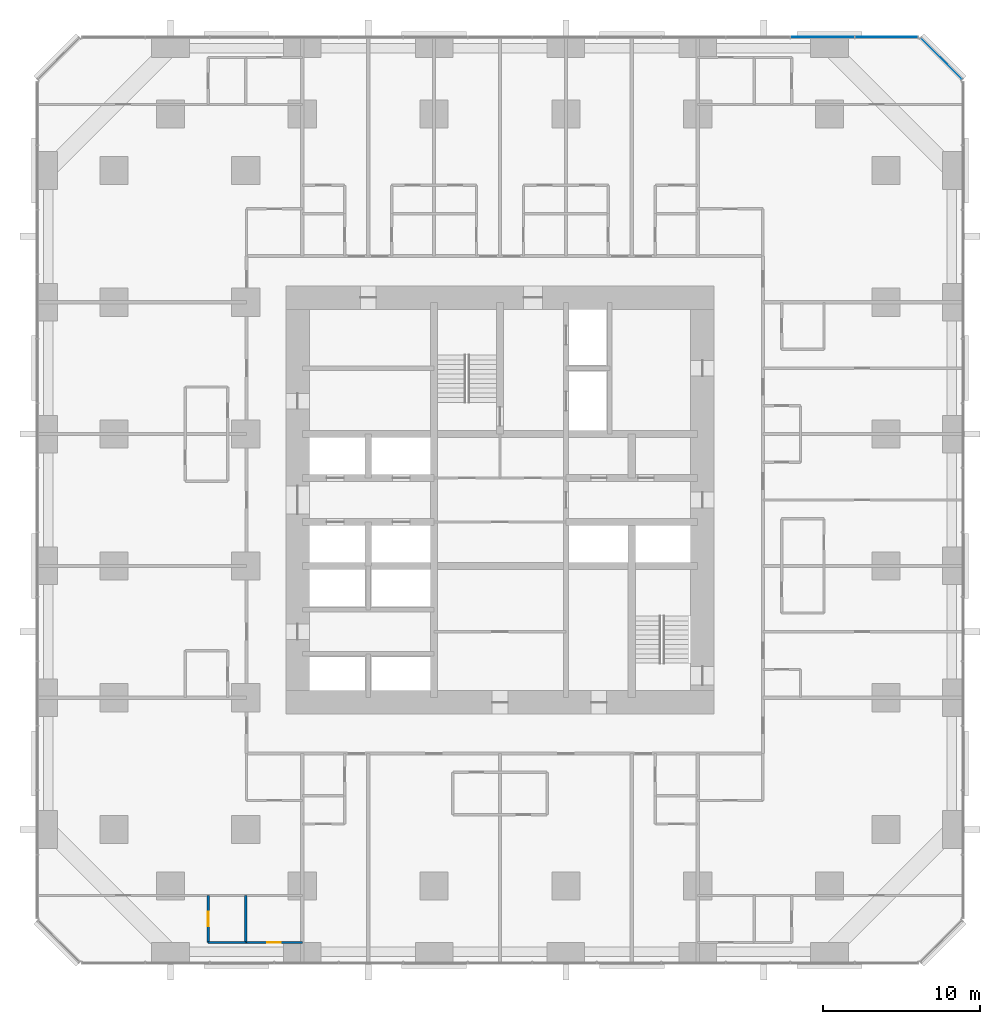
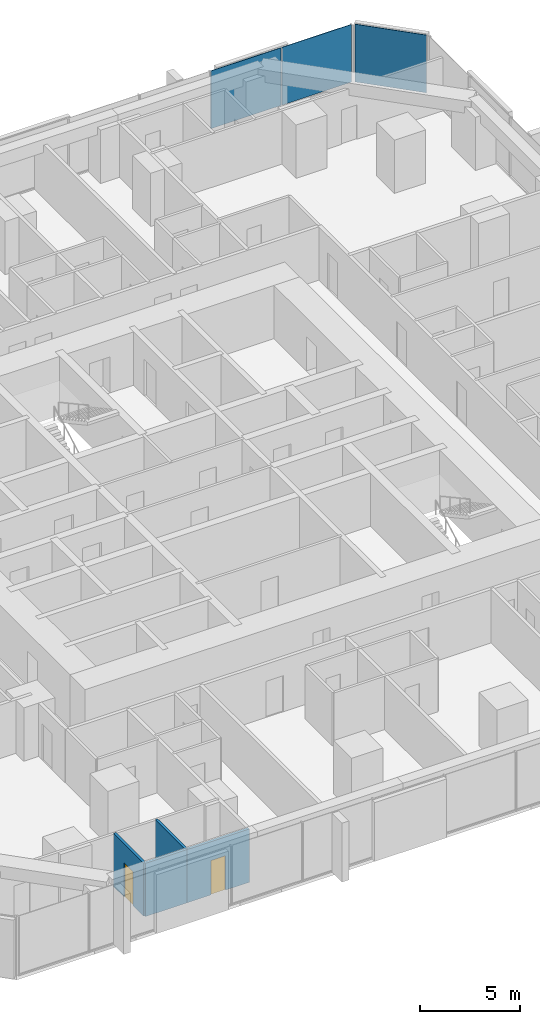
# One storey, part 10 of 17: 4 walls, 3 plates, 2 doors, 2 openings, 2 elements without a shape of their own.
"""IFC4 building model written with IfcOpenShell, lengths in metres."""

from ifc_helpers import new_model, si_unit, direction, frame, frame_2d, origin, origin_2d, place, context, subcontext, project, spatial, rectangle, extrude, material, layer, layer_set, type_object, element, fill, aggregate, save


model = new_model("IFC4")

# Units and contexts
model_context = context("Model", 3, precision=1e-05, world=origin(), true_north=direction((0.0, 1.0)))
body_context = subcontext(model_context, "Body", "Model", "MODEL_VIEW")
ifc_project = project(units=[si_unit("LENGTHUNIT", "METRE"), si_unit("AREAUNIT", "SQUARE_METRE"), si_unit("VOLUMEUNIT", "CUBIC_METRE"), si_unit("PLANEANGLEUNIT", "RADIAN"), si_unit("MASSUNIT", "GRAM", prefix="KILO")], contexts=[model_context])

# Site, building, storey
site_placement = place(None, origin())
site = spatial("IfcSite", under=ifc_project, at=site_placement, CompositionType="ELEMENT")
building_placement = place(site_placement, origin())
building = spatial("IfcBuilding", under=site, at=building_placement, Name="Dunama Terrace Hotel", CompositionType="ELEMENT")
storey_placement = place(building_placement, frame((0.0, 0.0, 66.60009765625)))
storey = spatial("IfcBuildingStorey", under=building, at=storey_placement, Name="L16", CompositionType="ELEMENT", Elevation=66.60009765625)

# Curtain wall, plate
ifc_material_1 = material(Name="Aluminium curtain wall system", Category="aluminium")
curtain_wall_type = type_object("IfcCurtainWallType", Name="Unitised fritted glass wall CW-A", PredefinedType="NOTDEFINED", material=ifc_material_1)
curtain_wall_1_placement = place(storey_placement, origin())
curtain_wall_1 = element("IfcCurtainWall", 1, at=curtain_wall_1_placement, inside=storey, type_object=curtain_wall_type, Name="Unitised fritted glass wall CW-A L16", PredefinedType="NOTDEFINED")
ifc_material_2 = material(Name="Laminated glass", Category="glass")
ifc_layer_1 = layer(ifc_material_2, 0.030029296875)
ifc_layer_set_1 = layer_set([ifc_layer_1], Name="CWA clear glass panel")
plate_type_1 = type_object("IfcPlateType", Name="CWA clear glass panel", PredefinedType="CURTAIN_PANEL", material=ifc_layer_set_1)
plate_1_placement = place(storey_placement, frame((57.52099609375, 57.52099609375, 0.074951171875), z_axis=(0.0, 0.0, 1.0), x_axis=(-0.707106781187, 0.707106781187, 0.0)))
plate_1 = element("IfcPlate", 2, at=plate_1_placement, type_object=plate_type_1, Name="CWA clear glass panel", PredefinedType="CURTAIN_PANEL", context=body_context, shape_type="SweptSolid", body=[
    extrude(rectangle(XDim=3.6884765625, YDim=0.030029296875, at=origin_2d()), origin(), (0.0, 0.0, 1.0), 3.52490234375),
])
aggregate(curtain_wall_1, [plate_1])

# Curtain wall, plates
curtain_wall_2_placement = place(storey_placement, origin())
curtain_wall_2 = element("IfcCurtainWall", 3, at=curtain_wall_2_placement, inside=storey, type_object=curtain_wall_type, Name="Unitised fritted glass wall CW-A L16", PredefinedType="NOTDEFINED")
ifc_material_3 = material(Name="Fritted laminated glass", Category="glass")
ifc_layer_2 = layer(ifc_material_3, 0.030029296875)
ifc_layer_set_2 = layer_set([ifc_layer_2], Name="CWA fritted glass panel")
plate_type_2 = type_object("IfcPlateType", Name="CWA fritted glass panel", PredefinedType="CURTAIN_PANEL", material=ifc_layer_set_2)
plate_2_placement = place(storey_placement, frame((49.93798828125, 58.89990234375, 0.074951171875), z_axis=(0.0, 0.0, 1.0), x_axis=(-1.0, 0.0, 0.0)))
plate_2 = element("IfcPlate", 4, at=plate_2_placement, type_object=plate_type_2, Name="CWA fritted glass panel", PredefinedType="CURTAIN_PANEL", context=body_context, shape_type="SweptSolid", body=[
    extrude(rectangle(XDim=4.042724609375, YDim=0.030029296875, at=origin_2d()), origin(), (0.0, 0.0, 1.0), 3.52490234375),
])
ifc_material_4 = material(Name="Laminated glass", Category="glass")
ifc_layer_3 = layer(ifc_material_4, 0.030029296875)
ifc_layer_set_3 = layer_set([ifc_layer_3], Name="CWA operable glass panel")
plate_type_3 = type_object("IfcPlateType", Name="CWA operable glass panel", PredefinedType="CURTAIN_PANEL", material=ifc_layer_set_3)
plate_3_placement = place(storey_placement, frame((54.030029296875, 58.89990234375, 0.074951171875), z_axis=(0.0, 0.0, 1.0), x_axis=(-1.0, 0.0, 0.0)))
plate_3 = element("IfcPlate", 5, at=plate_3_placement, type_object=plate_type_3, Name="CWA operable glass panel", PredefinedType="CURTAIN_PANEL", context=body_context, shape_type="SweptSolid", body=[
    extrude(rectangle(XDim=4.01025390625, YDim=0.030029296875, at=origin_2d()), origin(), (0.0, 0.0, 1.0), 3.52490234375),
])
aggregate(curtain_wall_2, [plate_3, plate_2])

# Wall, opening, door
ifc_material_5 = material(Name="Gypsum board partition", Category="masonry")
ifc_layer_4 = layer(ifc_material_5, 0.14990234375)
ifc_layer_set_4 = layer_set([ifc_layer_4], Name="Bathroom partition 150")
wall_type_1 = type_object("IfcWallType", Name="Bathroom partition 150", PredefinedType="PARTITIONING", material=ifc_layer_set_4)
wall_1_placement = place(storey_placement, frame((13.199951171875, 1.199951171875, 0.0), z_axis=(0.0, 0.0, 1.0), x_axis=(1.0, 0.0, 0.0)))
wall_1 = element("IfcWall", 6, at=wall_1_placement, inside=storey, type_object=wall_type_1, Name="Bathroom partition 150 L16", PredefinedType="PARTITIONING", context=body_context, shape_type="SweptSolid", body=[
    extrude(rectangle(XDim=3.60009765625, YDim=0.14990234375, at=frame_2d((1.800048828125, 0.0))), origin(), (0.0, 0.0, 1.0), 3.25),
])
opening_1_placement = place(wall_1_placement, frame((1.375, 0.0, 0.0)))
opening_1 = element("IfcOpeningElement", 7, at=opening_1_placement, cuts=wall_1, Name="Opening L15-16-058", PredefinedType="OPENING", context=body_context, shape_type="SweptSolid", body=[
    extrude(rectangle(XDim=0.85009765625, YDim=2.10009765625, at=frame_2d((0.425048828125, 1.050048828125))), frame((0.0, 0.0849609375, 0.0), z_axis=(0.0, -1.0, 0.0), x_axis=(1.0, 0.0, 0.0)), (0.0, 0.0, 1.0), 0.169921875),
])
ifc_material_6 = material(Name="Timber door with steel frame", Category="steel")
door_type_1 = type_object("IfcDoorType", Name="Bathroom door 850", OperationType="SINGLE_SWING_LEFT", PredefinedType="DOOR", material=ifc_material_6)
door_1_placement = place(opening_1_placement, origin())
door_1 = element("IfcDoor", 8, at=door_1_placement, inside=storey, type_object=door_type_1, Name="Door to en-suite bathroom L15-16-058, type D2", OperationType="SINGLE_SWING_RIGHT", OverallHeight=2.10009765625, OverallWidth=0.85009765625, PredefinedType="DOOR", context=body_context, shape_type="SweptSolid", body=[
    extrude(rectangle(XDim=0.85009765625, YDim=2.10009765625, at=frame_2d((0.425048828125, 1.050048828125))), frame((0.0, 0.02490234375, 0.0), z_axis=(0.0, -1.0, 0.0), x_axis=(1.0, 0.0, 0.0)), (0.0, 0.0, 1.0), 0.050048828125),
])
fill(opening_1, door_1)

ifc_material_7 = material(Name="Gypsum board partition", Category="masonry")
ifc_layer_5 = layer(ifc_material_7, 0.14990234375)
ifc_layer_set_5 = layer_set([ifc_layer_5], Name="Room partition 150")
wall_type_2 = type_object("IfcWallType", Name="Room partition 150", PredefinedType="PARTITIONING", material=ifc_layer_set_5)
wall_2_placement = place(storey_placement, frame((10.800048828125, 1.199951171875, 0.0), z_axis=(0.0, 0.0, 1.0), x_axis=(0.0, 1.0, 0.0)))
wall_2 = element("IfcWall", 9, at=wall_2_placement, inside=storey, type_object=wall_type_2, Name="Room partition 150 L16", PredefinedType="PARTITIONING", context=body_context, shape_type="SweptSolid", body=[
    extrude(rectangle(XDim=3.0, YDim=0.14990234375, at=frame_2d((1.5, 0.0))), origin(), (0.0, 0.0, 1.0), 3.25),
])
opening_2_placement = place(wall_2_placement, frame((1.050048828125, 0.0, 0.0)))
opening_2 = element("IfcOpeningElement", 10, at=opening_2_placement, cuts=wall_2, Name="Opening L15-16-059", PredefinedType="OPENING", context=body_context, shape_type="SweptSolid", body=[
    extrude(rectangle(XDim=0.89990234375, YDim=2.10009765625, at=frame_2d((0.449951171875, 1.050048828125))), frame((0.0, 0.0849609375, 0.0), z_axis=(0.0, -1.0, 0.0), x_axis=(1.0, 0.0, 0.0)), (0.0, 0.0, 1.0), 0.169921875),
])
ifc_material_8 = material(Name="Timber door with steel frame", Category="steel")
door_type_2 = type_object("IfcDoorType", Name="Suite internal door 900", OperationType="SINGLE_SWING_LEFT", PredefinedType="DOOR", material=ifc_material_8)
door_2_placement = place(opening_2_placement, frame((0.89990234375, 0.0, 0.0), z_axis=(0.0, 0.0, 1.0), x_axis=(-1.0, 0.0, 0.0)))
door_2 = element("IfcDoor", 11, at=door_2_placement, inside=storey, type_object=door_type_2, Name="Door to dressing room L15-16-059, type D16", OperationType="SINGLE_SWING_RIGHT", OverallHeight=2.10009765625, OverallWidth=0.89990234375, PredefinedType="DOOR", context=body_context, shape_type="SweptSolid", body=[
    extrude(rectangle(XDim=0.89990234375, YDim=2.10009765625, at=frame_2d((0.449951171875, 1.050048828125))), frame((0.0, 0.025146484375, 0.0), z_axis=(0.0, -1.0, 0.0), x_axis=(1.0, 0.0, 0.0)), (0.0, 0.0, 1.0), 0.050048828125),
])
fill(opening_2, door_2)

# Walls
wall_3_placement = place(storey_placement, frame((13.199951171875, 1.199951171875, 0.0), z_axis=(0.0, 0.0, 1.0), x_axis=(0.0, 1.0, 0.0)))
element("IfcWall", 12, at=wall_3_placement, inside=storey, type_object=wall_type_2, Name="Room partition 150 L16", PredefinedType="PARTITIONING", context=body_context, shape_type="SweptSolid", body=[
    extrude(rectangle(XDim=3.0, YDim=0.14990234375, at=frame_2d((1.5, 0.0))), origin(), (0.0, 0.0, 1.0), 3.25),
])
wall_4_placement = place(storey_placement, frame((10.800048828125, 1.199951171875, 0.0), z_axis=(0.0, 0.0, 1.0), x_axis=(1.0, 0.0, 0.0)))
element("IfcWall", 13, at=wall_4_placement, inside=storey, type_object=wall_type_2, Name="Room partition 150 L16", PredefinedType="PARTITIONING", context=body_context, shape_type="SweptSolid", body=[
    extrude(rectangle(XDim=2.39990234375, YDim=0.14990234375, at=frame_2d((1.199951171875, 0.0))), origin(), (0.0, 0.0, 1.0), 3.25),
])

save(model, "model.ifc")
